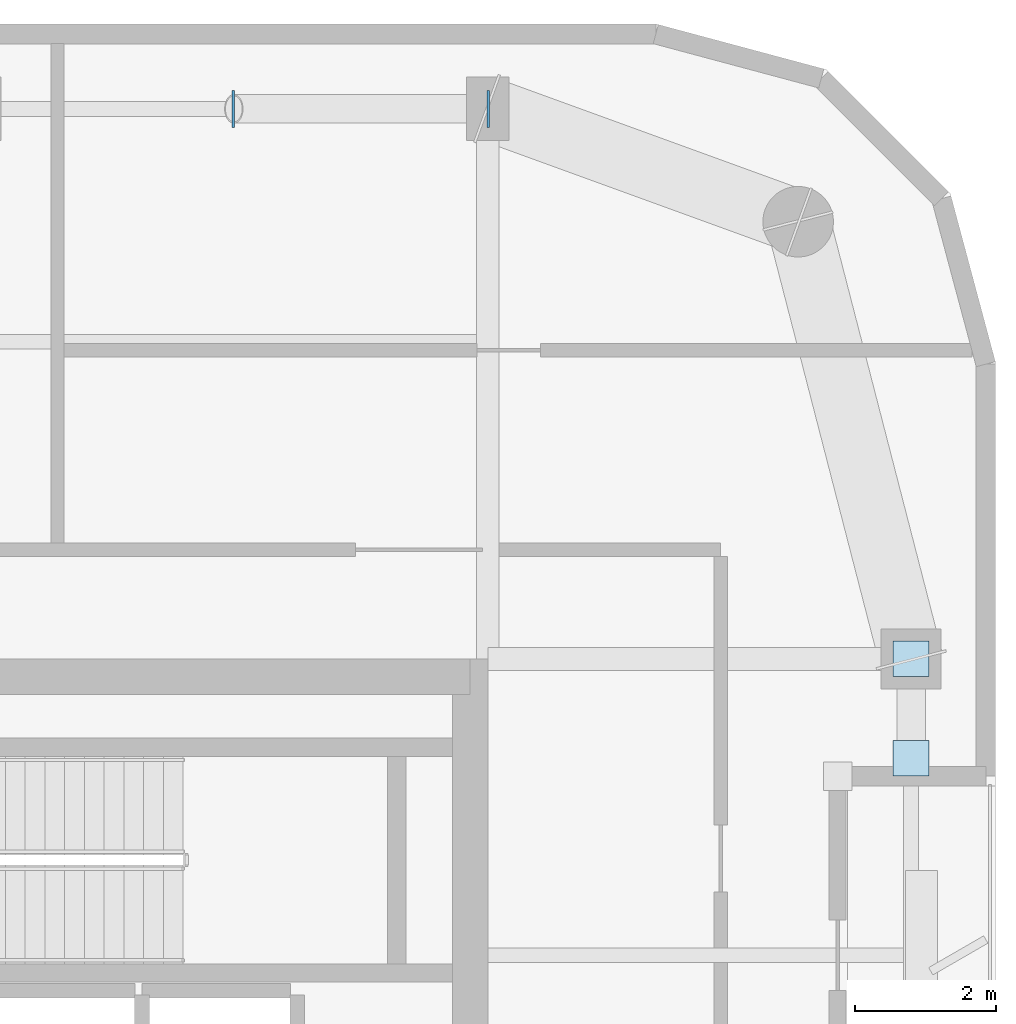
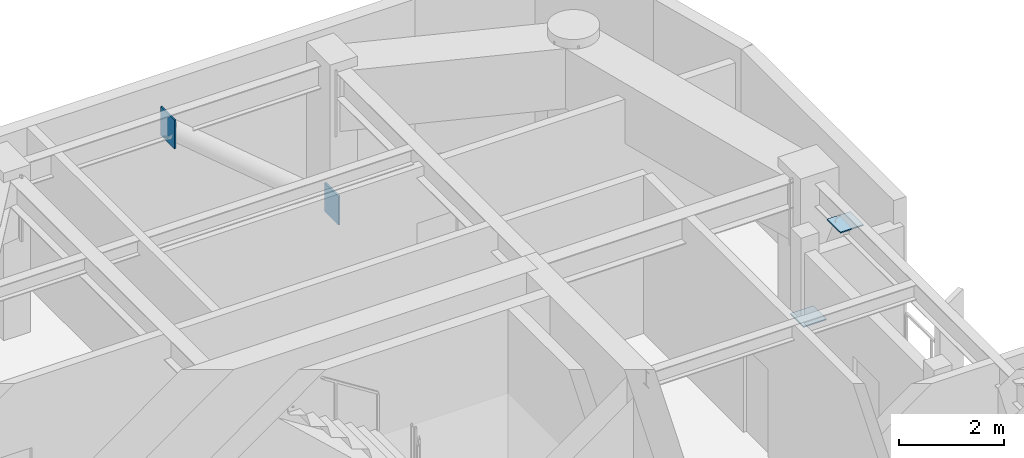
# One storey, part 9 of 16: 4 plates.
"""IFC4 building model written with IfcOpenShell, lengths in metres."""

from ifc_helpers import new_model, si_unit, direction, frame, origin, origin_2d, place, context, subcontext, project, spatial, rectangle, extrude, material, layer, layer_set, type_object, element, save


model = new_model("IFC4")

# Units and contexts
model_context = context("Model", 3, precision=1e-05, world=origin(), true_north=direction((0.0, 1.0)))
body_context = subcontext(model_context, "Body", "Model", "MODEL_VIEW")
ifc_project = project(units=[si_unit("LENGTHUNIT", "METRE"), si_unit("AREAUNIT", "SQUARE_METRE"), si_unit("VOLUMEUNIT", "CUBIC_METRE"), si_unit("PLANEANGLEUNIT", "RADIAN"), si_unit("MASSUNIT", "GRAM", prefix="KILO")], contexts=[model_context])

# Site, building, storey
site_placement = place(None, origin())
site = spatial("IfcSite", under=ifc_project, at=site_placement, CompositionType="ELEMENT")
building_placement = place(site_placement, origin())
building = spatial("IfcBuilding", under=site, at=building_placement, Name="Kiyonajd Concourse Tower", CompositionType="ELEMENT")
storey_placement = place(building_placement, frame((0.0, 0.0, 329.699951171875)))
storey = spatial("IfcBuildingStorey", under=building, at=storey_placement, Name="L83", CompositionType="ELEMENT", Elevation=329.699951171875)

# Plates
ifc_material = material(Name="Steel ASTM A572 Grade 50", Category="steel")
ifc_layer = layer(ifc_material, 0.028076171875)
ifc_layer_set = layer_set([ifc_layer], Name="Steel ASTM A572 Grade 50")
plate_type = type_object("IfcPlateType", Name="PL-CAP-450", PredefinedType="USERDEFINED", material=ifc_layer_set)
for number, where, z_axis, x_axis, name in (
    (1, (63.6083984375, 52.199951171875, -0.04248046875), (0.0, 0.0, 1.0), (1.0, 0.0, 0.0), "L83 Hollow Brace End Cap Plate PBN"),
    (2, (59.99169921875, 52.199951171875, 3.001708984375), (0.0, 0.0, 1.0), (-1.0, 0.0, 0.0), "L83 Hollow Brace Top Cap Plate PBN"),
):
    element("IfcPlate", number, at=place(storey_placement, frame(where, z_axis=z_axis, x_axis=x_axis)), inside=storey, type_object=plate_type, Name=name, ObjectType="CAP PLATE", PredefinedType="USERDEFINED", context=body_context, shape_type="SweptSolid", body=[
        extrude(rectangle(XDim=0.035888671875, YDim=0.52587890625, at=origin_2d()), origin(), (0.0, 0.0, 1.0), 0.6708984375),
    ])
for number, where, z_axis, x_axis, name in (
    (3, (69.60009765625, 44.404541015625, 0.27587890625), (0.0, 0.0, 1.0), (1.0, 0.0, 0.0), "L83 Hollow Brace End Cap Plate PBE"),
    (4, (69.60009765625, 42.995361328125, 3.326171875), (0.0, 0.0, 1.0), (1.0, 0.0, 0.0), "L83 Hollow Brace Top Cap Plate PBE"),
):
    element("IfcPlate", number, at=place(storey_placement, frame(where, z_axis=z_axis, x_axis=x_axis)), inside=storey, type_object=plate_type, Name=name, ObjectType="CAP PLATE", PredefinedType="USERDEFINED", context=body_context, shape_type="SweptSolid", body=[
        extrude(rectangle(XDim=0.506103515625, YDim=0.506103515625, at=origin_2d()), origin(), (0.0, 0.0, 1.0), 0.028076171875),
    ])

save(model, "model.ifc")
